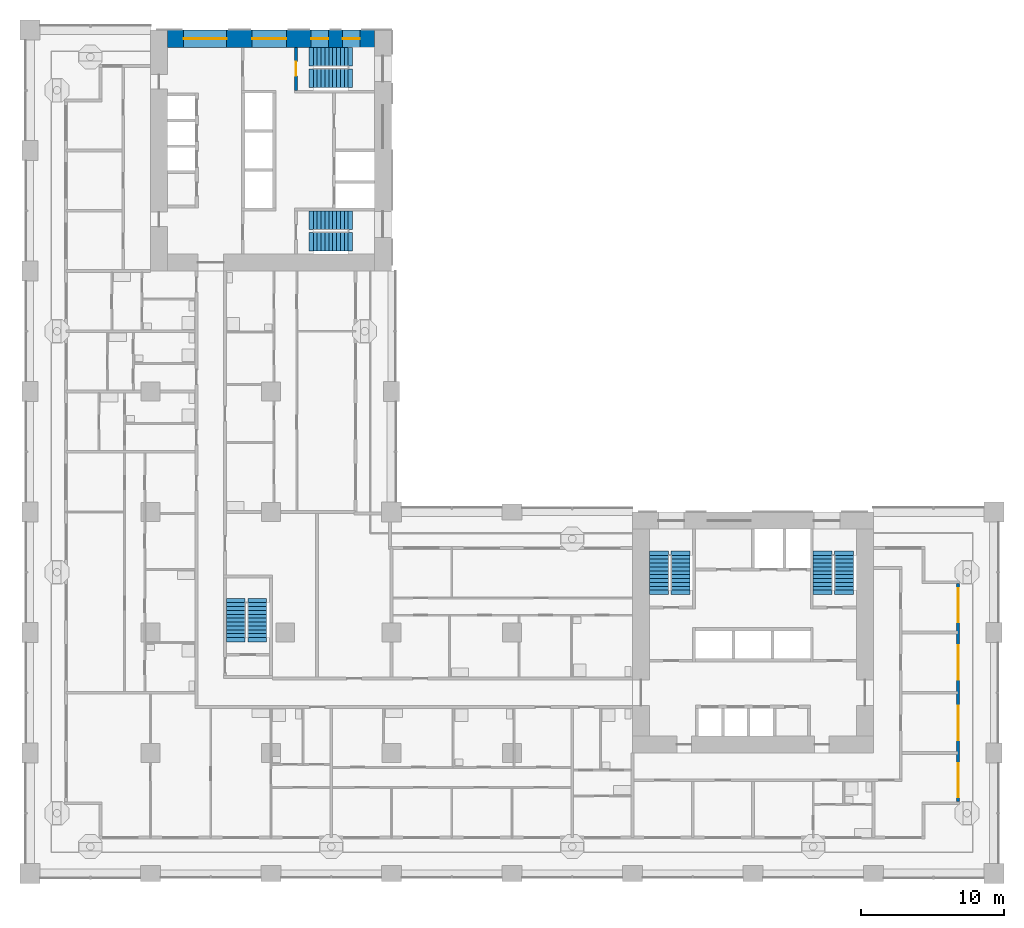
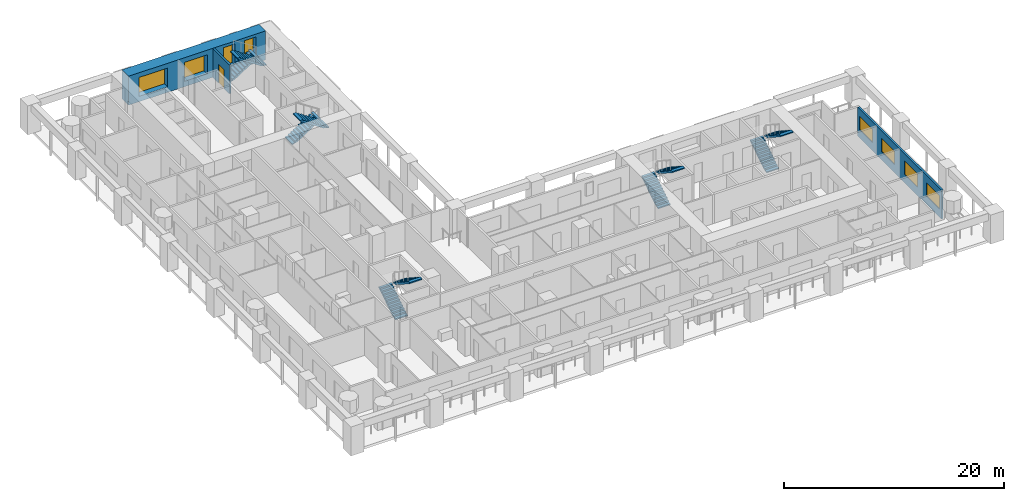
# One storey, part 9 of 19: 10 stair flights, 8 windows, 3 walls, 1 door, 9 openings, 5 elements without a shape of their own.
"""IFC4 building model written with IfcOpenShell, lengths in metres."""

from ifc_helpers import new_model, si_unit, direction, frame, frame_2d, origin, place, context, subcontext, project, spatial, polyline, rectangle, outline, extrude, material, layer, layer_set, type_object, element, fill, aggregate, save


model = new_model("IFC4")

# Units and contexts
model_context = context("Model", 3, precision=1e-05, world=origin(), true_north=direction((0.0, 1.0)))
body_context = subcontext(model_context, "Body", "Model", "MODEL_VIEW")
ifc_project = project(units=[si_unit("LENGTHUNIT", "METRE"), si_unit("AREAUNIT", "SQUARE_METRE"), si_unit("VOLUMEUNIT", "CUBIC_METRE"), si_unit("PLANEANGLEUNIT", "RADIAN"), si_unit("MASSUNIT", "GRAM", prefix="KILO")], contexts=[model_context])

# Site, building, storey
site_placement = place(None, origin())
site = spatial("IfcSite", under=ifc_project, at=site_placement, CompositionType="ELEMENT")
building_placement = place(site_placement, origin())
building = spatial("IfcBuilding", under=site, at=building_placement, Name="Vermilion Gate Residences", CompositionType="ELEMENT")
storey_placement = place(building_placement, frame((0.0, 0.0, 32.199951171875)))
storey = spatial("IfcBuildingStorey", under=building, at=storey_placement, Name="L06", CompositionType="ELEMENT", Elevation=32.199951171875)

# Wall, openings, windows
ifc_material_1 = material(Name="Insulated steel stud wall with terracotta rainscreen", Category="masonry")
ifc_layer_1 = layer(ifc_material_1, 0.199951171875)
ifc_layer_set_1 = layer_set([ifc_layer_1], Name="EXTERNAL WALL 200 TERRACOTTA RAINSCREEN")
wall_type_1 = type_object("IfcWallType", Name="EXTERNAL WALL 200 TERRACOTTA RAINSCREEN", PredefinedType="SOLIDWALL", material=ifc_layer_set_1)
wall_1_placement = place(storey_placement, frame((64.699951171875, 5.0, 0.0), z_axis=(0.0, 0.0, 1.0), x_axis=(0.0, 1.0, 0.0)))
wall_1 = element("IfcWall", 1, at=wall_1_placement, inside=storey, type_object=wall_type_1, Name="External wall", PredefinedType="SOLIDWALL", context=body_context, shape_type="SweptSolid", body=[
    extrude(rectangle(XDim=15.199951171875, YDim=0.199951171875, at=frame_2d((7.60009765625, 0.0))), origin(), (0.0, 0.0, 1.0), 3.219970703125),
])
opening_1_placement = place(wall_1_placement, frame((0.300048828125, 0.0, 0.89990234375)))
opening_1 = element("IfcOpeningElement", 2, at=opening_1_placement, cuts=wall_1, Name="Opening WE06028", PredefinedType="OPENING", context=body_context, shape_type="SweptSolid", body=[
    extrude(rectangle(XDim=2.39990234375, YDim=1.5, at=frame_2d((1.199951171875, 0.75))), frame((0.0, 0.10986328125, 0.0), z_axis=(0.0, -1.0, 0.0), x_axis=(1.0, 0.0, 0.0)), (0.0, 0.0, 1.0), 0.219970703125),
])
opening_2_placement = place(wall_1_placement, frame((4.300048828125, 0.0, 0.89990234375)))
opening_2 = element("IfcOpeningElement", 3, at=opening_2_placement, cuts=wall_1, Name="Opening WE06029", PredefinedType="OPENING", context=body_context, shape_type="SweptSolid", body=[
    extrude(rectangle(XDim=2.39990234375, YDim=1.5, at=frame_2d((1.199951171875, 0.75))), frame((0.0, 0.10986328125, 0.0), z_axis=(0.0, -1.0, 0.0), x_axis=(1.0, 0.0, 0.0)), (0.0, 0.0, 1.0), 0.219970703125),
])
opening_3_placement = place(wall_1_placement, frame((8.5, 0.0, 0.89990234375)))
opening_3 = element("IfcOpeningElement", 4, at=opening_3_placement, cuts=wall_1, Name="Opening WE06030", PredefinedType="OPENING", context=body_context, shape_type="SweptSolid", body=[
    extrude(rectangle(XDim=2.39990234375, YDim=1.5, at=frame_2d((1.199951171875, 0.75))), frame((0.0, 0.10986328125, 0.0), z_axis=(0.0, -1.0, 0.0), x_axis=(1.0, 0.0, 0.0)), (0.0, 0.0, 1.0), 0.219970703125),
])
opening_4_placement = place(wall_1_placement, frame((12.5, 0.0, 0.89990234375)))
opening_4 = element("IfcOpeningElement", 5, at=opening_4_placement, cuts=wall_1, Name="Opening WE06031", PredefinedType="OPENING", context=body_context, shape_type="SweptSolid", body=[
    extrude(rectangle(XDim=2.39990234375, YDim=1.5, at=frame_2d((1.199951171875, 0.75))), frame((0.0, 0.10986328125, 0.0), z_axis=(0.0, -1.0, 0.0), x_axis=(1.0, 0.0, 0.0)), (0.0, 0.0, 1.0), 0.219970703125),
])
ifc_material_2 = material(Name="Aluminium and clear glass", Category="aluminium")
window_type_1 = type_object("IfcWindowType", Name="WINDOW 2400 X 1500", PartitioningType="SINGLE_PANEL", PredefinedType="WINDOW", material=ifc_material_2)
window_1_placement = place(opening_1_placement, origin())
window_1 = element("IfcWindow", 6, at=window_1_placement, inside=storey, type_object=window_type_1, Name="Window", OverallHeight=1.5, OverallWidth=2.39990234375, PartitioningType="SINGLE_PANEL", PredefinedType="WINDOW", context=body_context, shape_type="SweptSolid", body=[
    extrude(rectangle(XDim=2.39990234375, YDim=1.5, at=frame_2d((1.199951171875, 0.75))), frame((0.0, 0.030029296875, 0.0), z_axis=(0.0, -1.0, 0.0), x_axis=(1.0, 0.0, 0.0)), (0.0, 0.0, 1.0), 0.06005859375),
])
fill(opening_1, window_1)
window_2_placement = place(opening_2_placement, origin())
window_2 = element("IfcWindow", 7, at=window_2_placement, inside=storey, type_object=window_type_1, Name="Window", OverallHeight=1.5, OverallWidth=2.39990234375, PartitioningType="SINGLE_PANEL", PredefinedType="WINDOW", context=body_context, shape_type="SweptSolid", body=[
    extrude(rectangle(XDim=2.39990234375, YDim=1.5, at=frame_2d((1.199951171875, 0.75))), frame((0.0, 0.030029296875, 0.0), z_axis=(0.0, -1.0, 0.0), x_axis=(1.0, 0.0, 0.0)), (0.0, 0.0, 1.0), 0.06005859375),
])
fill(opening_2, window_2)
window_3_placement = place(opening_3_placement, origin())
window_3 = element("IfcWindow", 8, at=window_3_placement, inside=storey, type_object=window_type_1, Name="Window", OverallHeight=1.5, OverallWidth=2.39990234375, PartitioningType="SINGLE_PANEL", PredefinedType="WINDOW", context=body_context, shape_type="SweptSolid", body=[
    extrude(rectangle(XDim=2.39990234375, YDim=1.5, at=frame_2d((1.199951171875, 0.75))), frame((0.0, 0.030029296875, 0.0), z_axis=(0.0, -1.0, 0.0), x_axis=(1.0, 0.0, 0.0)), (0.0, 0.0, 1.0), 0.06005859375),
])
fill(opening_3, window_3)
window_4_placement = place(opening_4_placement, origin())
window_4 = element("IfcWindow", 9, at=window_4_placement, inside=storey, type_object=window_type_1, Name="Window", OverallHeight=1.5, OverallWidth=2.39990234375, PartitioningType="SINGLE_PANEL", PredefinedType="WINDOW", context=body_context, shape_type="SweptSolid", body=[
    extrude(rectangle(XDim=2.39990234375, YDim=1.5, at=frame_2d((1.199951171875, 0.75))), frame((0.0, 0.030029296875, 0.0), z_axis=(0.0, -1.0, 0.0), x_axis=(1.0, 0.0, 0.0)), (0.0, 0.0, 1.0), 0.06005859375),
])
fill(opening_4, window_4)

# Wall, opening, door
ifc_material_3 = material(Name="Concrete C60", Category="concrete")
ifc_layer_2 = layer(ifc_material_3, 0.199951171875)
ifc_layer_set_2 = layer_set([ifc_layer_2], Name="RC CORE INTERNAL WALL 200 C60")
wall_type_2 = type_object("IfcWallType", Name="RC CORE INTERNAL WALL 200 C60", PredefinedType="SHEAR", material=ifc_layer_set_2)
wall_2_placement = place(storey_placement, frame((18.550048828125, 57.60009765625, 0.0), z_axis=(0.0, 0.0, 1.0), x_axis=(0.0, -1.0, 0.0)))
wall_2 = element("IfcWall", 10, at=wall_2_placement, inside=storey, type_object=wall_type_2, Name="Core internal wall B06-STW-S", PredefinedType="SHEAR", context=body_context, shape_type="SweptSolid", body=[
    extrude(rectangle(XDim=3.0, YDim=0.199951171875, at=frame_2d((1.5, 0.0))), origin(), (0.0, 0.0, 1.0), 3.219970703125),
])
opening_5_placement = place(wall_2_placement, frame((1.0, 0.0, 0.0)))
opening_5 = element("IfcOpeningElement", 11, at=opening_5_placement, cuts=wall_2, Name="Opening DK06112", PredefinedType="OPENING", context=body_context, shape_type="SweptSolid", body=[
    extrude(rectangle(XDim=1.0, YDim=2.10009765625, at=frame_2d((0.5, 1.050048828125))), frame((0.0, 0.10986328125, 0.0), z_axis=(0.0, -1.0, 0.0), x_axis=(1.0, 0.0, 0.0)), (0.0, 0.0, 1.0), 0.219970703125),
])
ifc_material_4 = material(Name="Steel", Category="steel")
door_type = type_object("IfcDoorType", Name="FIRE DOOR FD60 1000 X 2100", OperationType="SINGLE_SWING_LEFT", PredefinedType="DOOR", material=ifc_material_4)
door_placement = place(opening_5_placement, origin())
door = element("IfcDoor", 12, at=door_placement, inside=storey, type_object=door_type, Name="Stair door B06", OperationType="SINGLE_SWING_LEFT", OverallHeight=2.10009765625, OverallWidth=1.0, PredefinedType="DOOR", context=body_context, shape_type="SweptSolid", body=[
    extrude(rectangle(XDim=1.0, YDim=2.10009765625, at=frame_2d((0.5, 1.050048828125))), frame((0.0, 0.02490234375, 0.0), z_axis=(0.0, -1.0, 0.0), x_axis=(1.0, 0.0, 0.0)), (0.0, 0.0, 1.0), 0.050048828125),
])
fill(opening_5, door)

# Wall, openings, windows
ifc_material_5 = material(Name="Concrete C80 red-oxide pigmented", Category="concrete")
ifc_layer_3 = layer(ifc_material_5, 1.199951171875)
ifc_layer_set_3 = layer_set([ifc_layer_3], Name="RC CORE WALL 1200 C80 RED OXIDE")
wall_type_3 = type_object("IfcWallType", Name="RC CORE WALL 1200 C80 RED OXIDE", PredefinedType="SHEAR", material=ifc_layer_set_3)
wall_3_placement = place(storey_placement, frame((9.60009765625, 58.199951171875, 0.0), z_axis=(0.0, 0.0, 1.0), x_axis=(1.0, 0.0, 0.0)))
wall_3 = element("IfcWall", 13, at=wall_3_placement, inside=storey, type_object=wall_type_3, Name="Core wall B06-OUT-FR", PredefinedType="SHEAR", context=body_context, shape_type="SweptSolid", body=[
    extrude(rectangle(XDim=14.39990234375, YDim=1.199951171875, at=frame_2d((7.199951171875, 0.0))), origin(), (0.0, 0.0, 1.0), 3.219970703125),
])
opening_6_placement = place(wall_3_placement, frame((1.10498046875, 0.0, 0.60009765625)))
opening_6 = element("IfcOpeningElement", 14, at=opening_6_placement, cuts=wall_3, Name="Opening WKB0604", PredefinedType="OPENING", context=body_context, shape_type="SweptSolid", body=[
    extrude(rectangle(XDim=3.0, YDim=2.10009765625, at=frame_2d((1.5, 1.050048828125))), frame((0.0, 0.60986328125, 0.0), z_axis=(0.0, -1.0, 0.0), x_axis=(1.0, 0.0, 0.0)), (0.0, 0.0, 1.0), 1.219970703125),
])
opening_7_placement = place(wall_3_placement, frame((5.875, 0.0, 0.60009765625)))
opening_7 = element("IfcOpeningElement", 15, at=opening_7_placement, cuts=wall_3, Name="Opening WKB0605", PredefinedType="OPENING", context=body_context, shape_type="SweptSolid", body=[
    extrude(rectangle(XDim=2.39990234375, YDim=2.10009765625, at=frame_2d((1.199951171875, 1.050048828125))), frame((0.0, 0.60986328125, 0.0), z_axis=(0.0, -1.0, 0.0), x_axis=(1.0, 0.0, 0.0)), (0.0, 0.0, 1.0), 1.219970703125),
])
opening_8_placement = place(wall_3_placement, frame((9.993408203125, 0.0, 0.5)))
opening_8 = element("IfcOpeningElement", 16, at=opening_8_placement, cuts=wall_3, Name="Opening WKB0606", PredefinedType="OPENING", context=body_context, shape_type="SweptSolid", body=[
    extrude(rectangle(XDim=1.199951171875, YDim=2.39990234375, at=frame_2d((0.60009765625, 1.199951171875))), frame((0.0, 0.60986328125, 0.0), z_axis=(0.0, -1.0, 0.0), x_axis=(1.0, 0.0, 0.0)), (0.0, 0.0, 1.0), 1.219970703125),
])
opening_9_placement = place(wall_3_placement, frame((12.19677734375, 0.0, 0.5)))
opening_9 = element("IfcOpeningElement", 17, at=opening_9_placement, cuts=wall_3, Name="Opening WKB0607", PredefinedType="OPENING", context=body_context, shape_type="SweptSolid", body=[
    extrude(rectangle(XDim=1.199951171875, YDim=2.39990234375, at=frame_2d((0.60009765625, 1.199951171875))), frame((0.0, 0.60986328125, 0.0), z_axis=(0.0, -1.0, 0.0), x_axis=(1.0, 0.0, 0.0)), (0.0, 0.0, 1.0), 1.219970703125),
])
ifc_material_6 = material(Name="Aluminium and clear glass", Category="aluminium")
window_type_2 = type_object("IfcWindowType", Name="CORE LOBBY WINDOW 2400 X 2100", PartitioningType="SINGLE_PANEL", PredefinedType="WINDOW", material=ifc_material_6)
window_5_placement = place(opening_7_placement, origin())
window_5 = element("IfcWindow", 18, at=window_5_placement, inside=storey, type_object=window_type_2, Name="Core lobby window", OverallHeight=2.10009765625, OverallWidth=2.39990234375, PartitioningType="SINGLE_PANEL", PredefinedType="WINDOW", context=body_context, shape_type="SweptSolid", body=[
    extrude(rectangle(XDim=2.39990234375, YDim=2.10009765625, at=frame_2d((1.199951171875, 1.050048828125))), frame((0.0, 0.030029296875, 0.0), z_axis=(0.0, -1.0, 0.0), x_axis=(1.0, 0.0, 0.0)), (0.0, 0.0, 1.0), 0.06005859375),
])
fill(opening_7, window_5)
ifc_material_7 = material(Name="Aluminium and clear glass", Category="aluminium")
window_type_3 = type_object("IfcWindowType", Name="CORE LOBBY WINDOW 3000 X 2100", PartitioningType="SINGLE_PANEL", PredefinedType="WINDOW", material=ifc_material_7)
window_6_placement = place(opening_6_placement, origin())
window_6 = element("IfcWindow", 19, at=window_6_placement, inside=storey, type_object=window_type_3, Name="Core lobby window", OverallHeight=2.10009765625, OverallWidth=3.0, PartitioningType="SINGLE_PANEL", PredefinedType="WINDOW", context=body_context, shape_type="SweptSolid", body=[
    extrude(rectangle(XDim=3.0, YDim=2.10009765625, at=frame_2d((1.5, 1.050048828125))), frame((0.0, 0.030029296875, 0.0), z_axis=(0.0, -1.0, 0.0), x_axis=(1.0, 0.0, 0.0)), (0.0, 0.0, 1.0), 0.06005859375),
])
fill(opening_6, window_6)
ifc_material_8 = material(Name="Aluminium and clear glass", Category="aluminium")
window_type_4 = type_object("IfcWindowType", Name="CORE STAIR WINDOW 1200 X 2400", PartitioningType="SINGLE_PANEL", PredefinedType="WINDOW", material=ifc_material_8)
window_7_placement = place(opening_8_placement, origin())
window_7 = element("IfcWindow", 20, at=window_7_placement, inside=storey, type_object=window_type_4, Name="Core stair window", OverallHeight=2.39990234375, OverallWidth=1.199951171875, PartitioningType="SINGLE_PANEL", PredefinedType="WINDOW", context=body_context, shape_type="SweptSolid", body=[
    extrude(rectangle(XDim=1.199951171875, YDim=2.39990234375, at=frame_2d((0.60009765625, 1.199951171875))), frame((0.0, 0.030029296875, 0.0), z_axis=(0.0, -1.0, 0.0), x_axis=(1.0, 0.0, 0.0)), (0.0, 0.0, 1.0), 0.06005859375),
])
fill(opening_8, window_7)
window_8_placement = place(opening_9_placement, origin())
window_8 = element("IfcWindow", 21, at=window_8_placement, inside=storey, type_object=window_type_4, Name="Core stair window", OverallHeight=2.39990234375, OverallWidth=1.199951171875, PartitioningType="SINGLE_PANEL", PredefinedType="WINDOW", context=body_context, shape_type="SweptSolid", body=[
    extrude(rectangle(XDim=1.199951171875, YDim=2.39990234375, at=frame_2d((0.60009765625, 1.199951171875))), frame((0.0, 0.030029296875, 0.0), z_axis=(0.0, -1.0, 0.0), x_axis=(1.0, 0.0, 0.0)), (0.0, 0.0, 1.0), 0.06005859375),
])
fill(opening_9, window_8)

# Stair, stair flights
ifc_material_9 = material(Name="Concrete C50", Category="concrete")
stair_type = type_object("IfcStairType", Name="SPECIAL ESCAPE STAIR 1300", PredefinedType="HALF_TURN_STAIR", material=ifc_material_9)
stair_1_placement = place(storey_placement, origin())
stair_1 = element("IfcStair", 22, at=stair_1_placement, inside=storey, type_object=stair_type, Name="Special escape stair STA1-06", PredefinedType="HALF_TURN_STAIR")
ifc_material_10 = material(Name="Concrete C50", Category="concrete")
stair_flight_type = type_object("IfcStairFlightType", Name="STAIR FLIGHT 1300 RC C50", PredefinedType="STRAIGHT", material=ifc_material_10)
stair_flight_1_placement = place(storey_placement, frame((43.85009765625, 19.75, 0.0), z_axis=(0.0, 0.0, 1.0), x_axis=(0.0, 1.0, 0.0)))
stair_flight_1 = element("IfcStairFlight", 23, at=stair_flight_1_placement, type_object=stair_flight_type, Name="STA1-06 flight 1", NumberOfRisers=10, NumberOfTreads=9, PredefinedType="STRAIGHT", RiserHeight=0.175, TreadLength=0.27, context=body_context, shape_type="SweptSolid", body=[
    extrude(outline(polyline([(-0.300048828125, -0.14990234375), (-0.300048828125, -0.030029296875), (0.0, 0.0), (0.0, 0.175048828125), (0.27001953125, 0.175048828125), (0.27001953125, 0.35009765625), (0.5400390625, 0.35009765625), (0.5400390625, 0.52490234375), (0.81005859375, 0.52490234375), (0.81005859375, 0.699951171875), (1.080078125, 0.699951171875), (1.080078125, 0.875), (1.35009765625, 0.875), (1.35009765625, 1.050048828125), (1.6201171875, 1.050048828125), (1.6201171875, 1.22509765625), (1.889892578125, 1.22509765625), (1.889892578125, 1.39990234375), (2.159912109375, 1.39990234375), (2.159912109375, 1.574951171875), (2.429931640625, 1.574951171875), (2.429931640625, 1.75), (2.72998046875, 1.719970703125), (2.72998046875, 1.60009765625), (2.429931640625, 1.396484375), (0.275634765625, 0.0), (-0.300048828125, -0.14990234375)])), frame((0.0, 0.64990234375, 0.0), z_axis=(0.0, -1.0, 0.0), x_axis=(1.0, 0.0, 0.0)), (0.0, 0.0, 1.0), 1.300048828125),
])
stair_flight_2_placement = place(storey_placement, frame((45.35009765625, 22.179931640625, 1.75), z_axis=(0.0, 0.0, 1.0), x_axis=(0.0, -1.0, 0.0)))
stair_flight_2 = element("IfcStairFlight", 24, at=stair_flight_2_placement, type_object=stair_flight_type, Name="STA1-06 flight 2", NumberOfRisers=10, NumberOfTreads=9, PredefinedType="STRAIGHT", RiserHeight=0.175, TreadLength=0.27, context=body_context, shape_type="SweptSolid", body=[
    extrude(outline(polyline([(-0.300048828125, -0.14990234375), (-0.300048828125, -0.030029296875), (0.0, 0.0), (0.0, 0.175048828125), (0.27001953125, 0.175048828125), (0.27001953125, 0.35009765625), (0.5400390625, 0.35009765625), (0.5400390625, 0.52490234375), (0.81005859375, 0.52490234375), (0.81005859375, 0.699951171875), (1.080078125, 0.699951171875), (1.080078125, 0.875), (1.35009765625, 0.875), (1.35009765625, 1.050048828125), (1.6201171875, 1.050048828125), (1.6201171875, 1.22509765625), (1.889892578125, 1.22509765625), (1.889892578125, 1.39990234375), (2.159912109375, 1.39990234375), (2.159912109375, 1.574951171875), (2.429931640625, 1.574951171875), (2.429931640625, 1.75), (2.72998046875, 1.719970703125), (2.72998046875, 1.60009765625), (2.429931640625, 1.396484375), (0.275634765625, 0.0), (-0.300048828125, -0.14990234375)])), frame((0.0, 0.64990234375, 0.0), z_axis=(0.0, -1.0, 0.0), x_axis=(1.0, 0.0, 0.0)), (0.0, 0.0, 1.0), 1.300048828125),
])
aggregate(stair_1, [stair_flight_1, stair_flight_2])

stair_2_placement = place(storey_placement, origin())
stair_2 = element("IfcStair", 25, at=stair_2_placement, inside=storey, type_object=stair_type, Name="Special escape stair STA2-06", PredefinedType="HALF_TURN_STAIR")
stair_flight_3_placement = place(storey_placement, frame((55.25, 19.75, 0.0), z_axis=(0.0, 0.0, 1.0), x_axis=(0.0, 1.0, 0.0)))
stair_flight_3 = element("IfcStairFlight", 26, at=stair_flight_3_placement, type_object=stair_flight_type, Name="STA2-06 flight 1", NumberOfRisers=10, NumberOfTreads=9, PredefinedType="STRAIGHT", RiserHeight=0.175, TreadLength=0.27, context=body_context, shape_type="SweptSolid", body=[
    extrude(outline(polyline([(-0.300048828125, -0.14990234375), (-0.300048828125, -0.030029296875), (0.0, 0.0), (0.0, 0.175048828125), (0.27001953125, 0.175048828125), (0.27001953125, 0.35009765625), (0.5400390625, 0.35009765625), (0.5400390625, 0.52490234375), (0.81005859375, 0.52490234375), (0.81005859375, 0.699951171875), (1.080078125, 0.699951171875), (1.080078125, 0.875), (1.35009765625, 0.875), (1.35009765625, 1.050048828125), (1.6201171875, 1.050048828125), (1.6201171875, 1.22509765625), (1.889892578125, 1.22509765625), (1.889892578125, 1.39990234375), (2.159912109375, 1.39990234375), (2.159912109375, 1.574951171875), (2.429931640625, 1.574951171875), (2.429931640625, 1.75), (2.72998046875, 1.719970703125), (2.72998046875, 1.60009765625), (2.429931640625, 1.396484375), (0.275634765625, 0.0), (-0.300048828125, -0.14990234375)])), frame((0.0, 0.64990234375, 0.0), z_axis=(0.0, -1.0, 0.0), x_axis=(1.0, 0.0, 0.0)), (0.0, 0.0, 1.0), 1.300048828125),
])
stair_flight_4_placement = place(storey_placement, frame((56.75, 22.179931640625, 1.75), z_axis=(0.0, 0.0, 1.0), x_axis=(0.0, -1.0, 0.0)))
stair_flight_4 = element("IfcStairFlight", 27, at=stair_flight_4_placement, type_object=stair_flight_type, Name="STA2-06 flight 2", NumberOfRisers=10, NumberOfTreads=9, PredefinedType="STRAIGHT", RiserHeight=0.175, TreadLength=0.27, context=body_context, shape_type="SweptSolid", body=[
    extrude(outline(polyline([(-0.300048828125, -0.14990234375), (-0.300048828125, -0.030029296875), (0.0, 0.0), (0.0, 0.175048828125), (0.27001953125, 0.175048828125), (0.27001953125, 0.35009765625), (0.5400390625, 0.35009765625), (0.5400390625, 0.52490234375), (0.81005859375, 0.52490234375), (0.81005859375, 0.699951171875), (1.080078125, 0.699951171875), (1.080078125, 0.875), (1.35009765625, 0.875), (1.35009765625, 1.050048828125), (1.6201171875, 1.050048828125), (1.6201171875, 1.22509765625), (1.889892578125, 1.22509765625), (1.889892578125, 1.39990234375), (2.159912109375, 1.39990234375), (2.159912109375, 1.574951171875), (2.429931640625, 1.574951171875), (2.429931640625, 1.75), (2.72998046875, 1.719970703125), (2.72998046875, 1.60009765625), (2.429931640625, 1.396484375), (0.275634765625, 0.0), (-0.300048828125, -0.14990234375)])), frame((0.0, 0.64990234375, 0.0), z_axis=(0.0, -1.0, 0.0), x_axis=(1.0, 0.0, 0.0)), (0.0, 0.0, 1.0), 1.300048828125),
])
aggregate(stair_2, [stair_flight_3, stair_flight_4])

stair_3_placement = place(storey_placement, origin())
stair_3 = element("IfcStair", 28, at=stair_3_placement, inside=storey, type_object=stair_type, Name="Special escape stair STB1-06", PredefinedType="HALF_TURN_STAIR")
stair_flight_5_placement = place(storey_placement, frame((19.75, 56.949951171875, 0.0), z_axis=(0.0, 0.0, 1.0), x_axis=(1.0, 0.0, 0.0)))
stair_flight_5 = element("IfcStairFlight", 29, at=stair_flight_5_placement, type_object=stair_flight_type, Name="STB1-06 flight 1", NumberOfRisers=10, NumberOfTreads=9, PredefinedType="STRAIGHT", RiserHeight=0.175, TreadLength=0.27, context=body_context, shape_type="SweptSolid", body=[
    extrude(outline(polyline([(-0.300048828125, -0.14990234375), (-0.300048828125, -0.030029296875), (0.0, 0.0), (0.0, 0.175048828125), (0.27001953125, 0.175048828125), (0.27001953125, 0.35009765625), (0.5400390625, 0.35009765625), (0.5400390625, 0.52490234375), (0.81005859375, 0.52490234375), (0.81005859375, 0.699951171875), (1.080078125, 0.699951171875), (1.080078125, 0.875), (1.35009765625, 0.875), (1.35009765625, 1.050048828125), (1.6201171875, 1.050048828125), (1.6201171875, 1.22509765625), (1.889892578125, 1.22509765625), (1.889892578125, 1.39990234375), (2.159912109375, 1.39990234375), (2.159912109375, 1.574951171875), (2.429931640625, 1.574951171875), (2.429931640625, 1.75), (2.72998046875, 1.719970703125), (2.72998046875, 1.60009765625), (2.429931640625, 1.396484375), (0.275634765625, 0.0), (-0.300048828125, -0.14990234375)])), frame((0.0, 0.64990234375, 0.0), z_axis=(0.0, -1.0, 0.0), x_axis=(1.0, 0.0, 0.0)), (0.0, 0.0, 1.0), 1.300048828125),
])
stair_flight_6_placement = place(storey_placement, frame((22.179931640625, 55.449951171875, 1.75), z_axis=(0.0, 0.0, 1.0), x_axis=(-1.0, 0.0, 0.0)))
stair_flight_6 = element("IfcStairFlight", 30, at=stair_flight_6_placement, type_object=stair_flight_type, Name="STB1-06 flight 2", NumberOfRisers=10, NumberOfTreads=9, PredefinedType="STRAIGHT", RiserHeight=0.175, TreadLength=0.27, context=body_context, shape_type="SweptSolid", body=[
    extrude(outline(polyline([(-0.300048828125, -0.14990234375), (-0.300048828125, -0.030029296875), (0.0, 0.0), (0.0, 0.175048828125), (0.27001953125, 0.175048828125), (0.27001953125, 0.35009765625), (0.5400390625, 0.35009765625), (0.5400390625, 0.52490234375), (0.81005859375, 0.52490234375), (0.81005859375, 0.699951171875), (1.080078125, 0.699951171875), (1.080078125, 0.875), (1.35009765625, 0.875), (1.35009765625, 1.050048828125), (1.6201171875, 1.050048828125), (1.6201171875, 1.22509765625), (1.889892578125, 1.22509765625), (1.889892578125, 1.39990234375), (2.159912109375, 1.39990234375), (2.159912109375, 1.574951171875), (2.429931640625, 1.574951171875), (2.429931640625, 1.75), (2.72998046875, 1.719970703125), (2.72998046875, 1.60009765625), (2.429931640625, 1.396484375), (0.275634765625, 0.0), (-0.300048828125, -0.14990234375)])), frame((0.0, 0.64990234375, 0.0), z_axis=(0.0, -1.0, 0.0), x_axis=(1.0, 0.0, 0.0)), (0.0, 0.0, 1.0), 1.300048828125),
])
aggregate(stair_3, [stair_flight_5, stair_flight_6])

stair_4_placement = place(storey_placement, origin())
stair_4 = element("IfcStair", 31, at=stair_4_placement, inside=storey, type_object=stair_type, Name="Special escape stair STB2-06", PredefinedType="HALF_TURN_STAIR")
stair_flight_7_placement = place(storey_placement, frame((19.75, 45.550048828125, 0.0), z_axis=(0.0, 0.0, 1.0), x_axis=(1.0, 0.0, 0.0)))
stair_flight_7 = element("IfcStairFlight", 32, at=stair_flight_7_placement, type_object=stair_flight_type, Name="STB2-06 flight 1", NumberOfRisers=10, NumberOfTreads=9, PredefinedType="STRAIGHT", RiserHeight=0.175, TreadLength=0.27, context=body_context, shape_type="SweptSolid", body=[
    extrude(outline(polyline([(-0.300048828125, -0.14990234375), (-0.300048828125, -0.030029296875), (0.0, 0.0), (0.0, 0.175048828125), (0.27001953125, 0.175048828125), (0.27001953125, 0.35009765625), (0.5400390625, 0.35009765625), (0.5400390625, 0.52490234375), (0.81005859375, 0.52490234375), (0.81005859375, 0.699951171875), (1.080078125, 0.699951171875), (1.080078125, 0.875), (1.35009765625, 0.875), (1.35009765625, 1.050048828125), (1.6201171875, 1.050048828125), (1.6201171875, 1.22509765625), (1.889892578125, 1.22509765625), (1.889892578125, 1.39990234375), (2.159912109375, 1.39990234375), (2.159912109375, 1.574951171875), (2.429931640625, 1.574951171875), (2.429931640625, 1.75), (2.72998046875, 1.719970703125), (2.72998046875, 1.60009765625), (2.429931640625, 1.396484375), (0.275634765625, 0.0), (-0.300048828125, -0.14990234375)])), frame((0.0, 0.64990234375, 0.0), z_axis=(0.0, -1.0, 0.0), x_axis=(1.0, 0.0, 0.0)), (0.0, 0.0, 1.0), 1.300048828125),
])
stair_flight_8_placement = place(storey_placement, frame((22.179931640625, 44.050048828125, 1.75), z_axis=(0.0, 0.0, 1.0), x_axis=(-1.0, 0.0, 0.0)))
stair_flight_8 = element("IfcStairFlight", 33, at=stair_flight_8_placement, type_object=stair_flight_type, Name="STB2-06 flight 2", NumberOfRisers=10, NumberOfTreads=9, PredefinedType="STRAIGHT", RiserHeight=0.175, TreadLength=0.27, context=body_context, shape_type="SweptSolid", body=[
    extrude(outline(polyline([(-0.300048828125, -0.14990234375), (-0.300048828125, -0.030029296875), (0.0, 0.0), (0.0, 0.175048828125), (0.27001953125, 0.175048828125), (0.27001953125, 0.35009765625), (0.5400390625, 0.35009765625), (0.5400390625, 0.52490234375), (0.81005859375, 0.52490234375), (0.81005859375, 0.699951171875), (1.080078125, 0.699951171875), (1.080078125, 0.875), (1.35009765625, 0.875), (1.35009765625, 1.050048828125), (1.6201171875, 1.050048828125), (1.6201171875, 1.22509765625), (1.889892578125, 1.22509765625), (1.889892578125, 1.39990234375), (2.159912109375, 1.39990234375), (2.159912109375, 1.574951171875), (2.429931640625, 1.574951171875), (2.429931640625, 1.75), (2.72998046875, 1.719970703125), (2.72998046875, 1.60009765625), (2.429931640625, 1.396484375), (0.275634765625, 0.0), (-0.300048828125, -0.14990234375)])), frame((0.0, 0.64990234375, 0.0), z_axis=(0.0, -1.0, 0.0), x_axis=(1.0, 0.0, 0.0)), (0.0, 0.0, 1.0), 1.300048828125),
])
aggregate(stair_4, [stair_flight_7, stair_flight_8])

stair_5_placement = place(storey_placement, origin())
stair_5 = element("IfcStair", 34, at=stair_5_placement, inside=storey, type_object=stair_type, Name="Special escape stair STC1-06", PredefinedType="HALF_TURN_STAIR")
stair_flight_9_placement = place(storey_placement, frame((14.35009765625, 16.449951171875, 0.0), z_axis=(0.0, 0.0, 1.0), x_axis=(0.0, 1.0, 0.0)))
stair_flight_9 = element("IfcStairFlight", 35, at=stair_flight_9_placement, type_object=stair_flight_type, Name="STC1-06 flight 1", NumberOfRisers=10, NumberOfTreads=9, PredefinedType="STRAIGHT", RiserHeight=0.175, TreadLength=0.27, context=body_context, shape_type="SweptSolid", body=[
    extrude(outline(polyline([(-0.300048828125, -0.14990234375), (-0.300048828125, -0.030029296875), (0.0, 0.0), (0.0, 0.175048828125), (0.27001953125, 0.175048828125), (0.27001953125, 0.35009765625), (0.5400390625, 0.35009765625), (0.5400390625, 0.52490234375), (0.81005859375, 0.52490234375), (0.81005859375, 0.699951171875), (1.080078125, 0.699951171875), (1.080078125, 0.875), (1.35009765625, 0.875), (1.35009765625, 1.050048828125), (1.6201171875, 1.050048828125), (1.6201171875, 1.22509765625), (1.889892578125, 1.22509765625), (1.889892578125, 1.39990234375), (2.159912109375, 1.39990234375), (2.159912109375, 1.574951171875), (2.429931640625, 1.574951171875), (2.429931640625, 1.75), (2.72998046875, 1.719970703125), (2.72998046875, 1.60009765625), (2.429931640625, 1.396484375), (0.275634765625, 0.0), (-0.300048828125, -0.14990234375)])), frame((0.0, 0.64990234375, 0.0), z_axis=(0.0, -1.0, 0.0), x_axis=(1.0, 0.0, 0.0)), (0.0, 0.0, 1.0), 1.300048828125),
])
stair_flight_10_placement = place(storey_placement, frame((15.85009765625, 18.8798828125, 1.75), z_axis=(0.0, 0.0, 1.0), x_axis=(0.0, -1.0, 0.0)))
stair_flight_10 = element("IfcStairFlight", 36, at=stair_flight_10_placement, type_object=stair_flight_type, Name="STC1-06 flight 2", NumberOfRisers=10, NumberOfTreads=9, PredefinedType="STRAIGHT", RiserHeight=0.175, TreadLength=0.27, context=body_context, shape_type="SweptSolid", body=[
    extrude(outline(polyline([(-0.300048828125, -0.14990234375), (-0.300048828125, -0.030029296875), (0.0, 0.0), (0.0, 0.175048828125), (0.27001953125, 0.175048828125), (0.27001953125, 0.35009765625), (0.5400390625, 0.35009765625), (0.5400390625, 0.52490234375), (0.81005859375, 0.52490234375), (0.81005859375, 0.699951171875), (1.080078125, 0.699951171875), (1.080078125, 0.875), (1.35009765625, 0.875), (1.35009765625, 1.050048828125), (1.6201171875, 1.050048828125), (1.6201171875, 1.22509765625), (1.889892578125, 1.22509765625), (1.889892578125, 1.39990234375), (2.159912109375, 1.39990234375), (2.159912109375, 1.574951171875), (2.429931640625, 1.574951171875), (2.429931640625, 1.75), (2.72998046875, 1.719970703125), (2.72998046875, 1.60009765625), (2.429931640625, 1.396484375), (0.275634765625, 0.0), (-0.300048828125, -0.14990234375)])), frame((0.0, 0.64990234375, 0.0), z_axis=(0.0, -1.0, 0.0), x_axis=(1.0, 0.0, 0.0)), (0.0, 0.0, 1.0), 1.300048828125),
])
aggregate(stair_5, [stair_flight_9, stair_flight_10])

save(model, "model.ifc")
